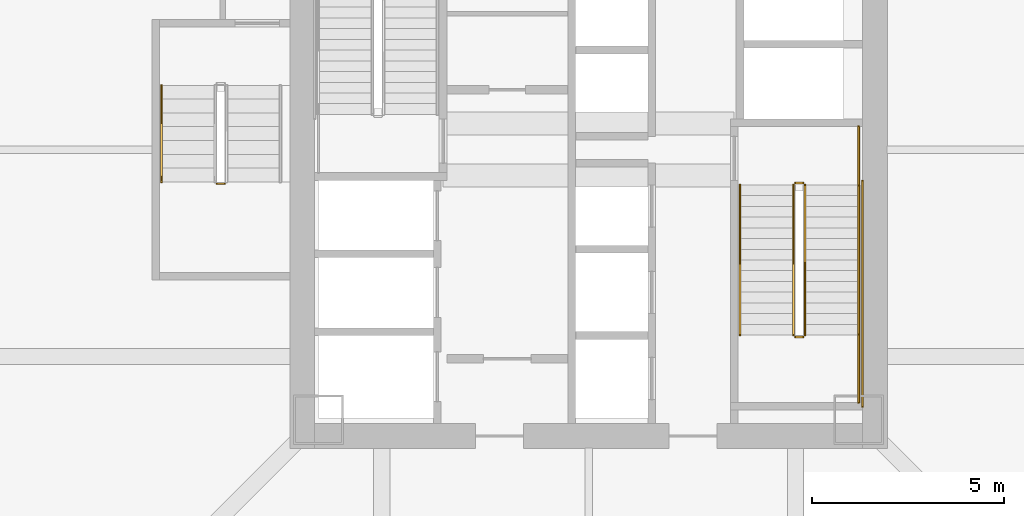
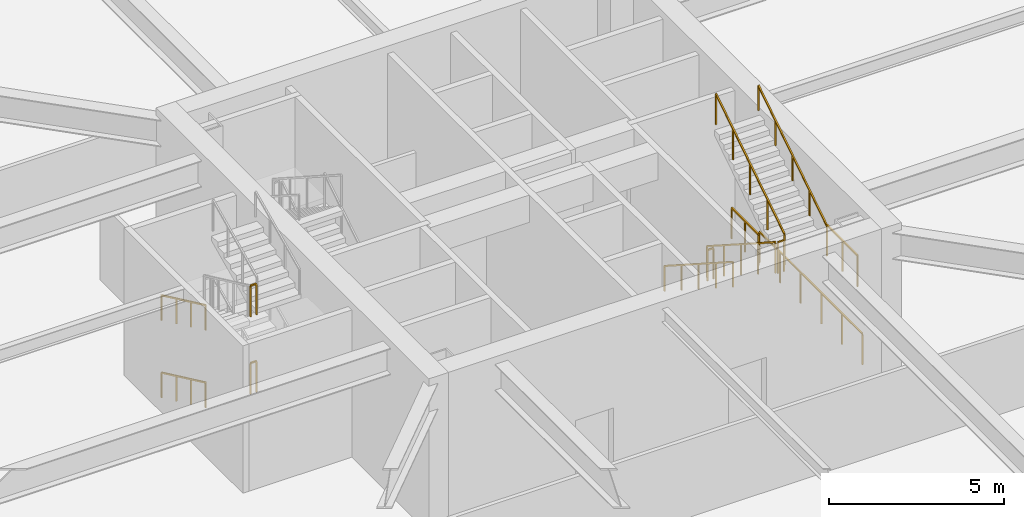
# One storey, part 42 of 48: 13 railings.
"""IFC4 building model written with IfcOpenShell, lengths in metres."""

import ifcopenshell
import ifcopenshell.guid

model = None  # the IFC model being written
_history = None  # IfcOwnerHistory: only IFC2X3 demands one
_inside = {}  # id of a spatial element -> (the spatial element, [elements in it])
_under = {}  # id of a project, library or spatial element -> (it, [spatial elements below it])
_declared = {}  # id of a project -> (the project, [libraries it declares])
_typed = {}  # id of a type object -> (the type object, [elements of that type])
_made_of = {}  # id of a material, layer set ... -> (it, [elements and type objects made of it])


def new_model(schema):
    """Start an empty IFC model of exactly this schema.

    Asked for "IFC4X3", IfcOpenShell would pick the latest addendum, in which some entities
    have other attributes; the version numbers below select the first issue.
    IFC2X3 requires an IfcOwnerHistory on every rooted entity: one is made here for all.
    """
    global model, _history
    if schema == "IFC4X3":
        model = ifcopenshell.file(schema_version=(4, 3, 0, 0))
    else:
        model = ifcopenshell.file(schema=schema)
    _inside.clear()
    _under.clear()
    _declared.clear()
    _typed.clear()
    _made_of.clear()
    _history = None
    if model.schema == "IFC2X3":
        org = make("IfcOrganization", Name="unknown")
        user = make(
            "IfcPersonAndOrganization",
            ThePerson=make("IfcPerson", FamilyName="unknown"),
            TheOrganization=org,
        )
        app = make(
            "IfcApplication",
            ApplicationDeveloper=org,
            Version="unknown",
            ApplicationFullName="unknown",
            ApplicationIdentifier="unknown",
        )
        _history = make(
            "IfcOwnerHistory",
            OwningUser=user,
            OwningApplication=app,
            ChangeAction="ADDED",
            CreationDate=0,
        )
    return model


def make(cls, **values):
    """One entity of the class cls with the attributes given. An attribute that is None is left unset."""
    return model.create_entity(
        cls, **{name: value for name, value in values.items() if value is not None}
    )


def rooted(cls, **values):
    """An entity with a GlobalId (a new one), such as an element, a storey or a relation."""
    return make(cls, GlobalId=ifcopenshell.guid.new(), OwnerHistory=_history, **values)


def si_unit(unit_type, name, prefix=None):
    """IfcSIUnit, for example si_unit("LENGTHUNIT", "METRE", prefix="MILLI")."""
    return make("IfcSIUnit", UnitType=unit_type, Prefix=prefix, Name=name)


def assignment(units):
    """IfcUnitAssignment: the units of a project."""
    return None if units is None else make("IfcUnitAssignment", Units=units)


def point(xyz):
    """IfcCartesianPoint."""
    return None if xyz is None else make("IfcCartesianPoint", Coordinates=xyz)


def direction(xyz):
    """IfcDirection."""
    return None if xyz is None else make("IfcDirection", DirectionRatios=xyz)


def frame(location, z_axis=None, x_axis=None):
    """IfcAxis2Placement3D, a coordinate frame: its origin and axes. An axis left out is left unset."""
    return make(
        "IfcAxis2Placement3D",
        Location=point(location),
        Axis=direction(z_axis),
        RefDirection=direction(x_axis),
    )


def frame_2d(location, x_axis=None):
    """IfcAxis2Placement2D, a coordinate frame in the plane: its origin and x axis."""
    return make(
        "IfcAxis2Placement2D", Location=point(location), RefDirection=direction(x_axis)
    )


def origin():
    """The frame at (0, 0, 0) with its axes left unset."""
    return frame((0.0, 0.0, 0.0))


def origin_2d():
    """The frame at (0, 0) in the plane with its x axis left unset."""
    return frame_2d((0.0, 0.0))


def place(relative_to, where):
    """IfcLocalPlacement: puts the frame where relative to a parent placement (None: the world)."""
    return make(
        "IfcLocalPlacement", PlacementRelTo=relative_to, RelativePlacement=where
    )


def context(
    kind, dimensions, precision=None, world=None, true_north=None, identifier=None
):
    """IfcGeometricRepresentationContext, for example the 3D "Model" context."""
    return make(
        "IfcGeometricRepresentationContext",
        ContextIdentifier=identifier,
        ContextType=kind,
        CoordinateSpaceDimension=dimensions,
        Precision=precision,
        WorldCoordinateSystem=world,
        TrueNorth=true_north,
    )


def subcontext(parent, identifier, kind, view, scale=None):
    """IfcGeometricRepresentationSubContext, for example "Body" below "Model"."""
    return make(
        "IfcGeometricRepresentationSubContext",
        ContextIdentifier=identifier,
        ContextType=kind,
        ParentContext=parent,
        TargetScale=scale,
        TargetView=view,
    )


def project(units=None, contexts=None):
    """IfcProject with its units and contexts."""
    return rooted(
        "IfcProject",
        Name="project",
        RepresentationContexts=contexts,
        UnitsInContext=assignment(units),
    )


def spatial(cls, under=None, at=None, **own):
    """A site, building, storey or space (cls), placed at a placement, below another one or the project."""
    s = rooted(cls, ObjectPlacement=at, **own)
    if under is not None:
        _under.setdefault(under.id(), (under, []))[1].append(s)
    return s


def profile(cls, at=None, kind="AREA", **sizes):
    """A parametric profile (cls). Its sizes go by their IFC names, for example OverallWidth=200.0."""
    return make(cls, ProfileType=kind, Position=at, **sizes)


def rectangle(**sizes):
    """IfcRectangleProfileDef."""
    return profile("IfcRectangleProfileDef", **sizes)


def extrude(swept, where, along, depth):
    """IfcExtrudedAreaSolid: the profile swept, set in the frame where, extruded along a direction by depth."""
    return make(
        "IfcExtrudedAreaSolid",
        SweptArea=swept,
        Position=where,
        ExtrudedDirection=direction(along),
        Depth=depth,
    )


def shape(context_of_items, identifier, shape_type, items):
    """IfcShapeRepresentation: the items that make up one representation, for example the "Body"."""
    return make(
        "IfcShapeRepresentation",
        ContextOfItems=context_of_items,
        RepresentationIdentifier=identifier,
        RepresentationType=shape_type,
        Items=items,
    )


def material(Name=None, Category=None):
    """IfcMaterial."""
    return make("IfcMaterial", Name=Name, Category=Category)


def made_of(thing, what):
    """Note that an element or type object is made of a material, layer set ...; save() writes the relation."""
    if what is not None:
        _made_of.setdefault(what.id(), (what, []))[1].append(thing)
    return thing


def type_object(cls, material=None, **own):
    """A type object (cls), such as IfcWallType, which elements share."""
    return made_of(rooted(cls, **own), material)


def element(
    cls,
    number,
    at=None,
    inside=None,
    cuts=None,
    type_object=None,
    material=None,
    context=None,
    identifier="Body",
    shape_type=None,
    held_by="IfcProductDefinitionShape",
    body=None,
    shapes=None,
    **own,
):
    """One element of the class cls, such as IfcWall. Its Tag is "e" and its number.

    at: its placement. inside: the storey or other place that contains it. cuts: it is an
    opening in that element (IfcRelVoidsElement). A single representation is given by context,
    identifier, shape_type and body (its items); several are given by shapes. held_by: the class
    of the entity that holds the representations. save() writes the other relations.
    """
    e = rooted(cls, Tag="e%d" % number, ObjectPlacement=at, **own)
    if body is not None:
        shapes = [shape(context, identifier, shape_type, body)]
    if shapes is not None:
        e.Representation = make(held_by, Representations=shapes)
    if inside is not None:
        _inside.setdefault(inside.id(), (inside, []))[1].append(e)
    if cuts is not None:
        rooted(
            "IfcRelVoidsElement", RelatingBuildingElement=cuts, RelatedOpeningElement=e
        )
    if type_object is not None:
        _typed.setdefault(type_object.id(), (type_object, []))[1].append(e)
    return made_of(e, material)


def aggregate(whole, parts):
    """IfcRelAggregates: a whole, such as a stair, and the parts it consists of."""
    return rooted("IfcRelAggregates", RelatingObject=whole, RelatedObjects=parts)


def save(model, path):
    """Write the relations noted so far, then the file.

    IfcRelAggregates (storeys below a building ...), IfcRelContainedInSpatialStructure (elements
    in a storey), IfcRelDefinesByType, IfcRelAssociatesMaterial and IfcRelDeclares: one each for
    every whole, place, type object, material and project.
    """
    for whole, parts in _under.values():
        aggregate(whole, parts)
    for where, things in _inside.values():
        rooted(
            "IfcRelContainedInSpatialStructure",
            RelatedElements=things,
            RelatingStructure=where,
        )
    for kind, things in _typed.values():
        rooted("IfcRelDefinesByType", RelatedObjects=things, RelatingType=kind)
    for what, things in _made_of.values():
        rooted("IfcRelAssociatesMaterial", RelatedObjects=things, RelatingMaterial=what)
    for by, libraries in _declared.values():
        rooted("IfcRelDeclares", RelatingContext=by, RelatedDefinitions=libraries)
    model.write(path)


model = new_model("IFC4")

# Units and contexts
model_context = context("Model", 3, precision=1e-05, world=origin(), true_north=direction((0.0, 1.0)))
body_context = subcontext(model_context, "Body", "Model", "MODEL_VIEW")
ifc_project = project(units=[si_unit("LENGTHUNIT", "METRE"), si_unit("AREAUNIT", "SQUARE_METRE"), si_unit("VOLUMEUNIT", "CUBIC_METRE"), si_unit("PLANEANGLEUNIT", "RADIAN"), si_unit("MASSUNIT", "GRAM", prefix="KILO")], contexts=[model_context])

# Site, building, storey
site_placement = place(None, origin())
site = spatial("IfcSite", under=ifc_project, at=site_placement, CompositionType="ELEMENT")
building_placement = place(site_placement, origin())
building = spatial("IfcBuilding", under=site, at=building_placement, Name="Tashvorn Skyway Center", CompositionType="ELEMENT")
storey_placement = place(building_placement, frame((0.0, 0.0, 10.199951171875)))
storey = spatial("IfcBuildingStorey", under=building, at=storey_placement, Name="L02", CompositionType="ELEMENT", Elevation=10.199951171875)

# Railings
ifc_material_1 = material(Name="Brushed stainless steel 316", Category="steel")
railing_type_1 = type_object("IfcRailingType", Name="RAIL-HAND-920", PredefinedType="HANDRAIL", material=ifc_material_1)
railing_1_placement = place(storey_placement, frame((45.949951171875, 31.080078125, 0.179931640625)))
element("IfcRailing", 1, at=railing_1_placement, inside=storey, type_object=railing_type_1, Name="L02 ST-T1-2 stair handrail 1", PredefinedType="HANDRAIL", context=body_context, shape_type="SweptSolid", body=[
    extrude(rectangle(XDim=0.048095703125, YDim=0.048095703125, at=origin_2d()), frame((0.0, 0.0, 0.8759765625), z_axis=(0.0, -0.841186985886, 0.540744352514), x_axis=(1.0, 0.0, 0.0)), (0.0, 0.0, 1.0), 4.660400390625),
    extrude(rectangle(XDim=0.0419921875, YDim=0.0419921875, at=origin_2d()), origin(), (0.0, 0.0, 1.0), 0.851806640625),
    extrude(rectangle(XDim=0.0419921875, YDim=0.0419921875, at=origin_2d()), frame((0.0, -0.97998046875, 0.6298828125)), (0.0, 0.0, 1.0), 0.851806640625),
    extrude(rectangle(XDim=0.0419921875, YDim=0.0419921875, at=origin_2d()), frame((0.0, -1.9599609375, 1.260009765625)), (0.0, 0.0, 1.0), 0.851806640625),
    extrude(rectangle(XDim=0.0419921875, YDim=0.0419921875, at=origin_2d()), frame((0.0, -2.940185546875, 1.89013671875)), (0.0, 0.0, 1.0), 0.851806640625),
    extrude(rectangle(XDim=0.0419921875, YDim=0.0419921875, at=origin_2d()), frame((0.0, -3.920166015625, 2.52001953125)), (0.0, 0.0, 1.0), 0.851806640625),
])
railing_2_placement = place(storey_placement, frame((49.050048828125, 27.159912109375, 2.880126953125)))
element("IfcRailing", 2, at=railing_2_placement, inside=storey, type_object=railing_type_1, Name="L02 ST-T1-2 stair handrail 2", PredefinedType="HANDRAIL", context=body_context, shape_type="SweptSolid", body=[
    extrude(rectangle(XDim=0.048095703125, YDim=0.048095703125, at=origin_2d()), frame((0.0, 0.0, 0.8759765625), z_axis=(0.0, 0.841186985886, 0.540744352514), x_axis=(-1.0, 0.0, 0.0)), (0.0, 0.0, 1.0), 4.660400390625),
    extrude(rectangle(XDim=0.0419921875, YDim=0.0419921875, at=origin_2d()), origin(), (0.0, 0.0, 1.0), 0.851806640625),
    extrude(rectangle(XDim=0.0419921875, YDim=0.0419921875, at=origin_2d()), frame((0.0, 0.97998046875, 0.6298828125)), (0.0, 0.0, 1.0), 0.851806640625),
    extrude(rectangle(XDim=0.0419921875, YDim=0.0419921875, at=origin_2d()), frame((0.0, 1.9599609375, 1.260009765625)), (0.0, 0.0, 1.0), 0.851806640625),
    extrude(rectangle(XDim=0.0419921875, YDim=0.0419921875, at=origin_2d()), frame((0.0, 2.940185546875, 1.89013671875)), (0.0, 0.0, 1.0), 0.851806640625),
    extrude(rectangle(XDim=0.0419921875, YDim=0.0419921875, at=origin_2d()), frame((0.0, 3.920166015625, 2.52001953125)), (0.0, 0.0, 1.0), 0.851806640625),
])
railing_3_placement = place(storey_placement, frame((30.85009765625, 33.679931640625, 0.168701171875)))
element("IfcRailing", 3, at=railing_3_placement, inside=storey, type_object=railing_type_1, Name="L02 ST-T1-3 stair handrail 1", PredefinedType="HANDRAIL", context=body_context, shape_type="SweptSolid", body=[
    extrude(rectangle(XDim=0.048095703125, YDim=0.048095703125, at=origin_2d()), frame((0.0, 0.0, 0.8759765625), z_axis=(0.0, -0.905439972488, 0.424474329284), x_axis=(1.0, 0.0, 0.0)), (0.0, 0.0, 1.0), 2.783203125),
    extrude(rectangle(XDim=0.0419921875, YDim=0.0419921875, at=origin_2d()), origin(), (0.0, 0.0, 1.0), 0.851806640625),
    extrude(rectangle(XDim=0.0419921875, YDim=0.0419921875, at=origin_2d()), frame((0.0, -0.840087890625, 0.393798828125)), (0.0, 0.0, 1.0), 0.851806640625),
    extrude(rectangle(XDim=0.0419921875, YDim=0.0419921875, at=origin_2d()), frame((0.0, -1.679931640625, 0.78759765625)), (0.0, 0.0, 1.0), 0.851806640625),
    extrude(rectangle(XDim=0.0419921875, YDim=0.0419921875, at=origin_2d()), frame((0.0, -2.52001953125, 1.181396484375)), (0.0, 0.0, 1.0), 0.851806640625),
])
railing_4_placement = place(storey_placement, frame((30.85009765625, 33.679931640625, 2.868896484375)))
element("IfcRailing", 4, at=railing_4_placement, inside=storey, type_object=railing_type_1, Name="L02 ST-T1-3 stair handrail 3", PredefinedType="HANDRAIL", context=body_context, shape_type="SweptSolid", body=[
    extrude(rectangle(XDim=0.048095703125, YDim=0.048095703125, at=origin_2d()), frame((0.0, 0.0, 0.8759765625), z_axis=(0.0, -0.905473684625, 0.424402410988), x_axis=(1.0, 0.0, 0.0)), (0.0, 0.0, 1.0), 2.783203125),
    extrude(rectangle(XDim=0.0419921875, YDim=0.0419921875, at=origin_2d()), origin(), (0.0, 0.0, 1.0), 0.851806640625),
    extrude(rectangle(XDim=0.0419921875, YDim=0.0419921875, at=origin_2d()), frame((0.0, -0.840087890625, 0.393798828125)), (0.0, 0.0, 1.0), 0.851806640625),
    extrude(rectangle(XDim=0.0419921875, YDim=0.0419921875, at=origin_2d()), frame((0.0, -1.679931640625, 0.787353515625)), (0.0, 0.0, 1.0), 0.851806640625),
    extrude(rectangle(XDim=0.0419921875, YDim=0.0419921875, at=origin_2d()), frame((0.0, -2.52001953125, 1.18115234375)), (0.0, 0.0, 1.0), 0.851806640625),
])
ifc_material_2 = material(Name="Painted galvanized steel S355", Category="steel")
railing_type_2 = type_object("IfcRailingType", Name="RAIL-STGUARD-1100", PredefinedType="GUARDRAIL", material=ifc_material_2)
railing_5_placement = place(storey_placement, frame((47.35009765625, 31.080078125, 0.179931640625)))
element("IfcRailing", 5, at=railing_5_placement, inside=storey, type_object=railing_type_2, Name="L02 ST-T1-2 stair guard 1", PredefinedType="GUARDRAIL", context=body_context, shape_type="SweptSolid", body=[
    extrude(rectangle(XDim=0.048095703125, YDim=0.048095703125, at=origin_2d()), frame((0.0, 0.0, 1.076171875), z_axis=(0.0, -0.841186985886, 0.540744352514), x_axis=(1.0, 0.0, 0.0)), (0.0, 0.0, 1.0), 4.660400390625),
    extrude(rectangle(XDim=0.0419921875, YDim=0.0419921875, at=origin_2d()), origin(), (0.0, 0.0, 1.0), 1.052001953125),
    extrude(rectangle(XDim=0.0419921875, YDim=0.0419921875, at=origin_2d()), frame((0.0, -0.97998046875, 0.6298828125)), (0.0, 0.0, 1.0), 1.052001953125),
    extrude(rectangle(XDim=0.0419921875, YDim=0.0419921875, at=origin_2d()), frame((0.0, -1.9599609375, 1.260009765625)), (0.0, 0.0, 1.0), 1.052001953125),
    extrude(rectangle(XDim=0.0419921875, YDim=0.0419921875, at=origin_2d()), frame((0.0, -2.940185546875, 1.89013671875)), (0.0, 0.0, 1.0), 1.052001953125),
    extrude(rectangle(XDim=0.0419921875, YDim=0.0419921875, at=origin_2d()), frame((0.0, -3.920166015625, 2.52001953125)), (0.0, 0.0, 1.0), 1.052001953125),
])
railing_6_placement = place(storey_placement, frame((47.39990234375, 27.110107421875, 2.699951171875)))
element("IfcRailing", 6, at=railing_6_placement, inside=storey, type_object=railing_type_2, Name="L02 ST-T1-2 stair guard 2", PredefinedType="GUARDRAIL", context=body_context, shape_type="SweptSolid", body=[
    extrude(rectangle(XDim=0.048095703125, YDim=0.048095703125, at=origin_2d()), frame((0.0, 0.0, 1.076171875), z_axis=(1.0, 0.0, 0.0), x_axis=(0.0, 1.0, 0.0)), (0.0, 0.0, 1.0), 0.2001953125),
    extrude(rectangle(XDim=0.0419921875, YDim=0.0419921875, at=origin_2d()), origin(), (0.0, 0.0, 1.0), 1.052001953125),
    extrude(rectangle(XDim=0.0419921875, YDim=0.0419921875, at=origin_2d()), frame((0.2001953125, 0.0, 0.0)), (0.0, 0.0, 1.0), 1.052001953125),
])
railing_7_placement = place(storey_placement, frame((49.050048828125, 27.159912109375, 2.699951171875)))
element("IfcRailing", 7, at=railing_7_placement, inside=storey, type_object=railing_type_2, Name="L02 ST-T1-2 stair guard 3", PredefinedType="GUARDRAIL", context=body_context, shape_type="SweptSolid", body=[
    extrude(rectangle(XDim=0.048095703125, YDim=0.048095703125, at=origin_2d()), frame((0.0, 0.0, 1.076171875), z_axis=(0.0, -1.0, 0.0), x_axis=(1.0, 0.0, 0.0)), (0.0, 0.0, 1.0), 1.760009765625),
    extrude(rectangle(XDim=0.0419921875, YDim=0.0419921875, at=origin_2d()), origin(), (0.0, 0.0, 1.0), 1.052001953125),
    extrude(rectangle(XDim=0.0419921875, YDim=0.0419921875, at=origin_2d()), frame((0.0, -0.8798828125, 0.0)), (0.0, 0.0, 1.0), 1.052001953125),
    extrude(rectangle(XDim=0.0419921875, YDim=0.0419921875, at=origin_2d()), frame((0.0, -1.760009765625, 0.0)), (0.0, 0.0, 1.0), 1.052001953125),
])
railing_8_placement = place(storey_placement, frame((47.64990234375, 27.159912109375, 2.880126953125)))
element("IfcRailing", 8, at=railing_8_placement, inside=storey, type_object=railing_type_2, Name="L02 ST-T1-2 stair guard 4", PredefinedType="GUARDRAIL", context=body_context, shape_type="SweptSolid", body=[
    extrude(rectangle(XDim=0.048095703125, YDim=0.048095703125, at=origin_2d()), frame((0.0, 0.0, 1.076171875), z_axis=(0.0, 0.841186985886, 0.540744352514), x_axis=(-1.0, 0.0, 0.0)), (0.0, 0.0, 1.0), 4.660400390625),
    extrude(rectangle(XDim=0.0419921875, YDim=0.0419921875, at=origin_2d()), origin(), (0.0, 0.0, 1.0), 1.052001953125),
    extrude(rectangle(XDim=0.0419921875, YDim=0.0419921875, at=origin_2d()), frame((0.0, 0.97998046875, 0.6298828125)), (0.0, 0.0, 1.0), 1.052001953125),
    extrude(rectangle(XDim=0.0419921875, YDim=0.0419921875, at=origin_2d()), frame((0.0, 1.9599609375, 1.260009765625)), (0.0, 0.0, 1.0), 1.052001953125),
    extrude(rectangle(XDim=0.0419921875, YDim=0.0419921875, at=origin_2d()), frame((0.0, 2.940185546875, 1.89013671875)), (0.0, 0.0, 1.0), 1.052001953125),
    extrude(rectangle(XDim=0.0419921875, YDim=0.0419921875, at=origin_2d()), frame((0.0, 3.920166015625, 2.52001953125)), (0.0, 0.0, 1.0), 1.052001953125),
])
railing_9_placement = place(storey_placement, frame((47.39990234375, 31.1298828125, 0.0)))
element("IfcRailing", 9, at=railing_9_placement, inside=storey, type_object=railing_type_2, Name="L02 ST-T1-2 stair guard 5", PredefinedType="GUARDRAIL", context=body_context, shape_type="SweptSolid", body=[
    extrude(rectangle(XDim=0.048095703125, YDim=0.048095703125, at=origin_2d()), frame((0.0, 0.0, 1.076171875), z_axis=(1.0, 0.0, 0.0), x_axis=(0.0, 1.0, 0.0)), (0.0, 0.0, 1.0), 0.2001953125),
    extrude(rectangle(XDim=0.0419921875, YDim=0.0419921875, at=origin_2d()), origin(), (0.0, 0.0, 1.0), 1.052001953125),
    extrude(rectangle(XDim=0.0419921875, YDim=0.0419921875, at=origin_2d()), frame((0.2001953125, 0.0, 0.0)), (0.0, 0.0, 1.0), 1.052001953125),
])
railing_10_placement = place(storey_placement, frame((49.050048828125, 32.60009765625, 0.0)))
element("IfcRailing", 10, at=railing_10_placement, inside=storey, type_object=railing_type_2, Name="L02 ST-T1-2 stair guard 6", PredefinedType="GUARDRAIL", context=body_context, shape_type="SweptSolid", body=[
    extrude(rectangle(XDim=0.048095703125, YDim=0.048095703125, at=origin_2d()), frame((0.0, 0.0, 1.076171875), z_axis=(0.0, -1.0, 0.0), x_axis=(1.0, 0.0, 0.0)), (0.0, 0.0, 1.0), 1.52001953125),
    extrude(rectangle(XDim=0.0419921875, YDim=0.0419921875, at=origin_2d()), origin(), (0.0, 0.0, 1.0), 1.052001953125),
    extrude(rectangle(XDim=0.0419921875, YDim=0.0419921875, at=origin_2d()), frame((0.0, -0.760009765625, 0.0)), (0.0, 0.0, 1.0), 1.052001953125),
    extrude(rectangle(XDim=0.0419921875, YDim=0.0419921875, at=origin_2d()), frame((0.0, -1.52001953125, 0.0)), (0.0, 0.0, 1.0), 1.052001953125),
])
railing_11_placement = place(storey_placement, frame((49.14990234375, 31.179931640625, 0.0)))
element("IfcRailing", 11, at=railing_11_placement, inside=storey, type_object=railing_type_2, Name="L02 ST-T1-2 stair guard 7", PredefinedType="GUARDRAIL", context=body_context, shape_type="SweptSolid", body=[
    extrude(rectangle(XDim=0.048095703125, YDim=0.048095703125, at=origin_2d()), frame((0.0, 0.0, 1.076171875), z_axis=(0.0, -1.0, 0.0), x_axis=(1.0, 0.0, 0.0)), (0.0, 0.0, 1.0), 5.8798828125),
    extrude(rectangle(XDim=0.0419921875, YDim=0.0419921875, at=origin_2d()), origin(), (0.0, 0.0, 1.0), 1.052001953125),
    extrude(rectangle(XDim=0.0419921875, YDim=0.0419921875, at=origin_2d()), frame((0.0, -1.176025390625, 0.0)), (0.0, 0.0, 1.0), 1.052001953125),
    extrude(rectangle(XDim=0.0419921875, YDim=0.0419921875, at=origin_2d()), frame((0.0, -2.35205078125, 0.0)), (0.0, 0.0, 1.0), 1.052001953125),
    extrude(rectangle(XDim=0.0419921875, YDim=0.0419921875, at=origin_2d()), frame((0.0, -3.52783203125, 0.0)), (0.0, 0.0, 1.0), 1.052001953125),
    extrude(rectangle(XDim=0.0419921875, YDim=0.0419921875, at=origin_2d()), frame((0.0, -4.703857421875, 0.0)), (0.0, 0.0, 1.0), 1.052001953125),
    extrude(rectangle(XDim=0.0419921875, YDim=0.0419921875, at=origin_2d()), frame((0.0, -5.8798828125, 0.0)), (0.0, 0.0, 1.0), 1.052001953125),
])
for number, where, name in (
    (12, (32.300048828125, 31.110107421875, 1.35009765625), "L02 ST-T1-3 stair guard 2"),
    (13, (32.300048828125, 31.110107421875, 4.050048828125), "L02 ST-T1-3 stair guard 6"),
):
    element("IfcRailing", number, at=place(storey_placement, frame(where)), inside=storey, type_object=railing_type_2, Name=name, PredefinedType="GUARDRAIL", context=body_context, shape_type="SweptSolid", body=[
        extrude(rectangle(XDim=0.048095703125, YDim=0.048095703125, at=origin_2d()), frame((0.0, 0.0, 1.076171875), z_axis=(1.0, 0.0, 0.0), x_axis=(0.0, 1.0, 0.0)), (0.0, 0.0, 1.0), 0.199951171875),
        extrude(rectangle(XDim=0.0419921875, YDim=0.0419921875, at=origin_2d()), origin(), (0.0, 0.0, 1.0), 1.052001953125),
        extrude(rectangle(XDim=0.0419921875, YDim=0.0419921875, at=origin_2d()), frame((0.199951171875, 0.0, 0.0)), (0.0, 0.0, 1.0), 1.052001953125),
    ])

save(model, "model.ifc")
